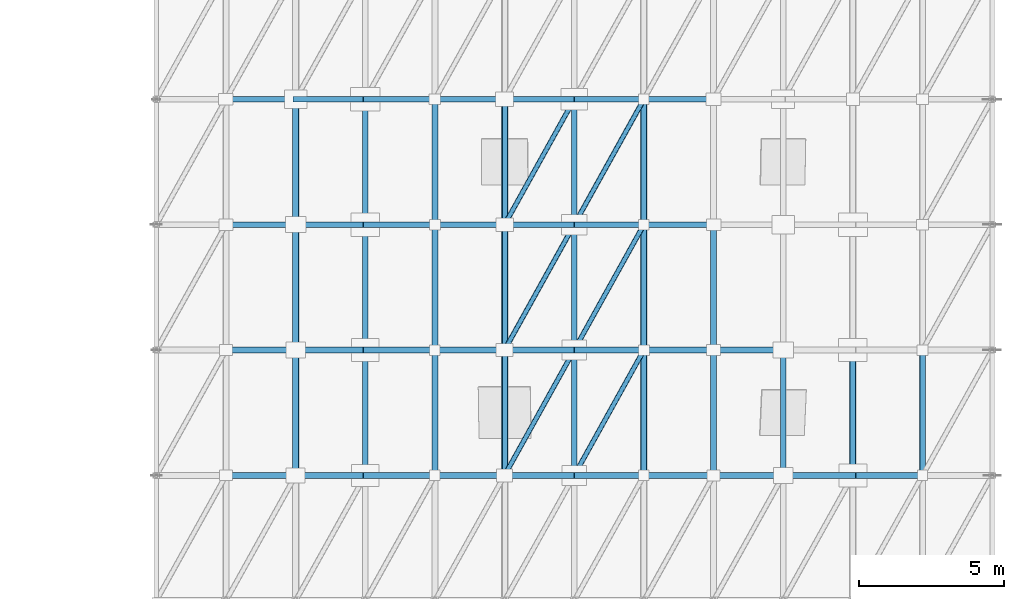
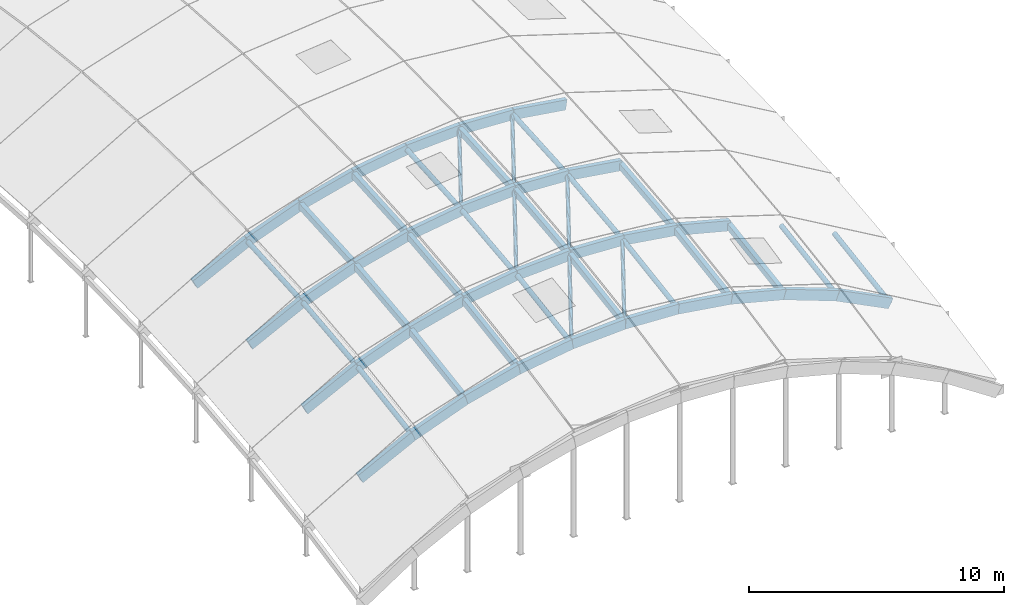
# One storey, part 12 of 35: 61 members.
"""IFC4 building model written with IfcOpenShell, lengths in metres."""

import ifcopenshell
import ifcopenshell.guid

model = None  # the IFC model being written
_history = None  # IfcOwnerHistory: only IFC2X3 demands one
_inside = {}  # id of a spatial element -> (the spatial element, [elements in it])
_under = {}  # id of a project, library or spatial element -> (it, [spatial elements below it])
_declared = {}  # id of a project -> (the project, [libraries it declares])
_typed = {}  # id of a type object -> (the type object, [elements of that type])
_made_of = {}  # id of a material, layer set ... -> (it, [elements and type objects made of it])


def new_model(schema):
    """Start an empty IFC model of exactly this schema.

    Asked for "IFC4X3", IfcOpenShell would pick the latest addendum, in which some entities
    have other attributes; the version numbers below select the first issue.
    IFC2X3 requires an IfcOwnerHistory on every rooted entity: one is made here for all.
    """
    global model, _history
    if schema == "IFC4X3":
        model = ifcopenshell.file(schema_version=(4, 3, 0, 0))
    else:
        model = ifcopenshell.file(schema=schema)
    _inside.clear()
    _under.clear()
    _declared.clear()
    _typed.clear()
    _made_of.clear()
    _history = None
    if model.schema == "IFC2X3":
        org = make("IfcOrganization", Name="unknown")
        user = make(
            "IfcPersonAndOrganization",
            ThePerson=make("IfcPerson", FamilyName="unknown"),
            TheOrganization=org,
        )
        app = make(
            "IfcApplication",
            ApplicationDeveloper=org,
            Version="unknown",
            ApplicationFullName="unknown",
            ApplicationIdentifier="unknown",
        )
        _history = make(
            "IfcOwnerHistory",
            OwningUser=user,
            OwningApplication=app,
            ChangeAction="ADDED",
            CreationDate=0,
        )
    return model


def make(cls, **values):
    """One entity of the class cls with the attributes given. An attribute that is None is left unset."""
    return model.create_entity(
        cls, **{name: value for name, value in values.items() if value is not None}
    )


def rooted(cls, **values):
    """An entity with a GlobalId (a new one), such as an element, a storey or a relation."""
    return make(cls, GlobalId=ifcopenshell.guid.new(), OwnerHistory=_history, **values)


def si_unit(unit_type, name, prefix=None):
    """IfcSIUnit, for example si_unit("LENGTHUNIT", "METRE", prefix="MILLI")."""
    return make("IfcSIUnit", UnitType=unit_type, Prefix=prefix, Name=name)


def assignment(units):
    """IfcUnitAssignment: the units of a project."""
    return None if units is None else make("IfcUnitAssignment", Units=units)


def point(xyz):
    """IfcCartesianPoint."""
    return None if xyz is None else make("IfcCartesianPoint", Coordinates=xyz)


def direction(xyz):
    """IfcDirection."""
    return None if xyz is None else make("IfcDirection", DirectionRatios=xyz)


def frame(location, z_axis=None, x_axis=None):
    """IfcAxis2Placement3D, a coordinate frame: its origin and axes. An axis left out is left unset."""
    return make(
        "IfcAxis2Placement3D",
        Location=point(location),
        Axis=direction(z_axis),
        RefDirection=direction(x_axis),
    )


def frame_2d(location, x_axis=None):
    """IfcAxis2Placement2D, a coordinate frame in the plane: its origin and x axis."""
    return make(
        "IfcAxis2Placement2D", Location=point(location), RefDirection=direction(x_axis)
    )


def origin():
    """The frame at (0, 0, 0) with its axes left unset."""
    return frame((0.0, 0.0, 0.0))


def origin_2d():
    """The frame at (0, 0) in the plane with its x axis left unset."""
    return frame_2d((0.0, 0.0))


def place(relative_to, where):
    """IfcLocalPlacement: puts the frame where relative to a parent placement (None: the world)."""
    return make(
        "IfcLocalPlacement", PlacementRelTo=relative_to, RelativePlacement=where
    )


def context(
    kind, dimensions, precision=None, world=None, true_north=None, identifier=None
):
    """IfcGeometricRepresentationContext, for example the 3D "Model" context."""
    return make(
        "IfcGeometricRepresentationContext",
        ContextIdentifier=identifier,
        ContextType=kind,
        CoordinateSpaceDimension=dimensions,
        Precision=precision,
        WorldCoordinateSystem=world,
        TrueNorth=true_north,
    )


def subcontext(parent, identifier, kind, view, scale=None):
    """IfcGeometricRepresentationSubContext, for example "Body" below "Model"."""
    return make(
        "IfcGeometricRepresentationSubContext",
        ContextIdentifier=identifier,
        ContextType=kind,
        ParentContext=parent,
        TargetScale=scale,
        TargetView=view,
    )


def project(units=None, contexts=None):
    """IfcProject with its units and contexts."""
    return rooted(
        "IfcProject",
        Name="project",
        RepresentationContexts=contexts,
        UnitsInContext=assignment(units),
    )


def spatial(cls, under=None, at=None, **own):
    """A site, building, storey or space (cls), placed at a placement, below another one or the project."""
    s = rooted(cls, ObjectPlacement=at, **own)
    if under is not None:
        _under.setdefault(under.id(), (under, []))[1].append(s)
    return s


def profile(cls, at=None, kind="AREA", **sizes):
    """A parametric profile (cls). Its sizes go by their IFC names, for example OverallWidth=200.0."""
    return make(cls, ProfileType=kind, Position=at, **sizes)


def rectangle(**sizes):
    """IfcRectangleProfileDef."""
    return profile("IfcRectangleProfileDef", **sizes)


def hollow_rectangle(**sizes):
    """IfcRectangleHollowProfileDef."""
    return profile("IfcRectangleHollowProfileDef", **sizes)


def hollow_circle(**sizes):
    """IfcCircleHollowProfileDef."""
    return profile("IfcCircleHollowProfileDef", **sizes)


def extrude(swept, where, along, depth):
    """IfcExtrudedAreaSolid: the profile swept, set in the frame where, extruded along a direction by depth."""
    return make(
        "IfcExtrudedAreaSolid",
        SweptArea=swept,
        Position=where,
        ExtrudedDirection=direction(along),
        Depth=depth,
    )


def shape(context_of_items, identifier, shape_type, items):
    """IfcShapeRepresentation: the items that make up one representation, for example the "Body"."""
    return make(
        "IfcShapeRepresentation",
        ContextOfItems=context_of_items,
        RepresentationIdentifier=identifier,
        RepresentationType=shape_type,
        Items=items,
    )


def material(Name=None, Category=None):
    """IfcMaterial."""
    return make("IfcMaterial", Name=Name, Category=Category)


def material_profile(
    of_material, cross_section, Name=None, Category=None, Priority=None
):
    """IfcMaterialProfile: a cross section and its material."""
    return make(
        "IfcMaterialProfile",
        Name=Name,
        Material=of_material,
        Profile=cross_section,
        Priority=Priority,
        Category=Category,
    )


def profile_set(profiles, Name=None, composite=None):
    """IfcMaterialProfileSet."""
    return make(
        "IfcMaterialProfileSet",
        Name=Name,
        MaterialProfiles=profiles,
        CompositeProfile=composite,
    )


def made_of(thing, what):
    """Note that an element or type object is made of a material, layer set ...; save() writes the relation."""
    if what is not None:
        _made_of.setdefault(what.id(), (what, []))[1].append(thing)
    return thing


def type_object(cls, material=None, **own):
    """A type object (cls), such as IfcWallType, which elements share."""
    return made_of(rooted(cls, **own), material)


def element(
    cls,
    number,
    at=None,
    inside=None,
    cuts=None,
    type_object=None,
    material=None,
    context=None,
    identifier="Body",
    shape_type=None,
    held_by="IfcProductDefinitionShape",
    body=None,
    shapes=None,
    **own,
):
    """One element of the class cls, such as IfcWall. Its Tag is "e" and its number.

    at: its placement. inside: the storey or other place that contains it. cuts: it is an
    opening in that element (IfcRelVoidsElement). A single representation is given by context,
    identifier, shape_type and body (its items); several are given by shapes. held_by: the class
    of the entity that holds the representations. save() writes the other relations.
    """
    e = rooted(cls, Tag="e%d" % number, ObjectPlacement=at, **own)
    if body is not None:
        shapes = [shape(context, identifier, shape_type, body)]
    if shapes is not None:
        e.Representation = make(held_by, Representations=shapes)
    if inside is not None:
        _inside.setdefault(inside.id(), (inside, []))[1].append(e)
    if cuts is not None:
        rooted(
            "IfcRelVoidsElement", RelatingBuildingElement=cuts, RelatedOpeningElement=e
        )
    if type_object is not None:
        _typed.setdefault(type_object.id(), (type_object, []))[1].append(e)
    return made_of(e, material)


def aggregate(whole, parts):
    """IfcRelAggregates: a whole, such as a stair, and the parts it consists of."""
    return rooted("IfcRelAggregates", RelatingObject=whole, RelatedObjects=parts)


def save(model, path):
    """Write the relations noted so far, then the file.

    IfcRelAggregates (storeys below a building ...), IfcRelContainedInSpatialStructure (elements
    in a storey), IfcRelDefinesByType, IfcRelAssociatesMaterial and IfcRelDeclares: one each for
    every whole, place, type object, material and project.
    """
    for whole, parts in _under.values():
        aggregate(whole, parts)
    for where, things in _inside.values():
        rooted(
            "IfcRelContainedInSpatialStructure",
            RelatedElements=things,
            RelatingStructure=where,
        )
    for kind, things in _typed.values():
        rooted("IfcRelDefinesByType", RelatedObjects=things, RelatingType=kind)
    for what, things in _made_of.values():
        rooted("IfcRelAssociatesMaterial", RelatedObjects=things, RelatingMaterial=what)
    for by, libraries in _declared.values():
        rooted("IfcRelDeclares", RelatingContext=by, RelatedDefinitions=libraries)
    model.write(path)


model = new_model("IFC4")

# Units and contexts
model_context = context("Model", 3, precision=1e-05, world=origin(), true_north=direction((0.0, 1.0)))
body_context = subcontext(model_context, "Body", "Model", "MODEL_VIEW")
ifc_project = project(units=[si_unit("LENGTHUNIT", "METRE"), si_unit("AREAUNIT", "SQUARE_METRE"), si_unit("VOLUMEUNIT", "CUBIC_METRE"), si_unit("PLANEANGLEUNIT", "RADIAN"), si_unit("MASSUNIT", "GRAM", prefix="KILO")], contexts=[model_context])

# Site, building, storey
site_placement = place(None, origin())
site = spatial("IfcSite", under=ifc_project, at=site_placement, CompositionType="ELEMENT")
building_placement = place(site_placement, origin())
building = spatial("IfcBuilding", under=site, at=building_placement, Name="Zarrinpeak Specialist Clinic", CompositionType="ELEMENT")
storey_placement = place(building_placement, frame((0.0, 0.0, 31.60009765625)))
storey = spatial("IfcBuildingStorey", under=building, at=storey_placement, Name="RF", CompositionType="ELEMENT", Elevation=31.60009765625)

# Members
ifc_material_1 = material(Name="Steel S355", Category="steel")
ifc_material_profile_1 = material_profile(ifc_material_1, hollow_circle(Radius=0.084228515625, WallThickness=0.008056640625, at=origin_2d()), Name="CHS 168.3x8.0")
ifc_profile_set_1 = profile_set([ifc_material_profile_1], Name="Steel S355")
member_type_1 = type_object("IfcMemberType", Name="MB-BR168", PredefinedType="BRACE", material=ifc_profile_set_1)
member_1_placement = place(storey_placement, frame((105.60009765625, 33.1201171875, -12.056396484375), z_axis=(0.479519862366, 0.86313575226, 0.158295213975), x_axis=(-0.874157276122, 0.485642931179, 0.0)))
element("IfcMember", 1, at=member_1_placement, inside=storey, type_object=member_type_1, Name="V3 Gridshell Diagonal Brace GS-DIAG-028", PredefinedType="BRACE", context=body_context, shape_type="SweptSolid", body=[
    extrude(hollow_circle(Radius=0.084228515625, WallThickness=0.008056640625, at=origin_2d()), origin(), (0.0, 0.0, 1.0), 5.0048828125),
])
member_2_placement = place(storey_placement, frame((105.60009765625, 37.43994140625, -11.38427734375), z_axis=(0.482080754181, 0.867794399311, 0.120544709438), x_axis=(-0.874168927292, 0.485621958479, 0.0)))
element("IfcMember", 2, at=member_2_placement, inside=storey, type_object=member_type_1, Name="V3 Gridshell Diagonal Brace GS-DIAG-029", PredefinedType="BRACE", context=body_context, shape_type="SweptSolid", body=[
    extrude(hollow_circle(Radius=0.084228515625, WallThickness=0.008056640625, at=origin_2d()), origin(), (0.0, 0.0, 1.0), 4.978271484375),
])
member_3_placement = place(storey_placement, frame((105.60009765625, 41.760009765625, -10.904296875), z_axis=(0.483973738945, 0.871201964459, 0.082319846543), x_axis=(-0.874168927292, 0.485621958479, 0.0)))
element("IfcMember", 3, at=member_3_placement, inside=storey, type_object=member_type_1, Name="V3 Gridshell Diagonal Brace GS-DIAG-030", PredefinedType="BRACE", context=body_context, shape_type="SweptSolid", body=[
    extrude(hollow_circle(Radius=0.084228515625, WallThickness=0.008056640625, at=origin_2d()), origin(), (0.0, 0.0, 1.0), 4.958740234375),
])
member_4_placement = place(storey_placement, frame((108.0, 33.1201171875, -11.93603515625), z_axis=(0.482643813636, 0.868758864544, 0.110963887977), x_axis=(-0.874157276122, 0.485642931179, 0.0)))
element("IfcMember", 4, at=member_4_placement, inside=storey, type_object=member_type_1, Name="V3 Gridshell Diagonal Brace GS-DIAG-038", PredefinedType="BRACE", context=body_context, shape_type="SweptSolid", body=[
    extrude(hollow_circle(Radius=0.084228515625, WallThickness=0.008056640625, at=origin_2d()), origin(), (0.0, 0.0, 1.0), 4.972412109375),
])
member_5_placement = place(storey_placement, frame((108.0, 37.43994140625, -11.26416015625), z_axis=(0.484339539557, 0.871860442774, 0.072626295148), x_axis=(-0.874168927292, 0.485621958479, 0.0)))
element("IfcMember", 5, at=member_5_placement, inside=storey, type_object=member_type_1, Name="V3 Gridshell Diagonal Brace GS-DIAG-039", PredefinedType="BRACE", context=body_context, shape_type="SweptSolid", body=[
    extrude(hollow_circle(Radius=0.084228515625, WallThickness=0.008056640625, at=origin_2d()), origin(), (0.0, 0.0, 1.0), 4.955078125),
])
member_6_placement = place(storey_placement, frame((108.0, 41.760009765625, -10.7841796875), z_axis=(0.485342513442, 0.873665897797, 0.033919664978), x_axis=(-0.874168927292, 0.485621958479, 0.0)))
element("IfcMember", 6, at=member_6_placement, inside=storey, type_object=member_type_1, Name="V3 Gridshell Diagonal Brace GS-DIAG-040", PredefinedType="BRACE", context=body_context, shape_type="SweptSolid", body=[
    extrude(hollow_circle(Radius=0.084228515625, WallThickness=0.008056640625, at=origin_2d()), origin(), (0.0, 0.0, 1.0), 4.94482421875),
])
ifc_material_profile_2 = material_profile(ifc_material_1, hollow_circle(Radius=0.109619140625, WallThickness=0.010009765625, at=origin_2d()), Name="CHS 219.1x10.0")
ifc_profile_set_2 = profile_set([ifc_material_profile_2], Name="Steel S355")
member_type_2 = type_object("IfcMemberType", Name="MB-GS-CH219", PredefinedType="USERDEFINED", material=ifc_profile_set_2)
member_7_placement = place(storey_placement, frame((98.39990234375, 33.1201171875, -13.939697265625), z_axis=(0.0, 0.988111379408, 0.153739721234), x_axis=(-1.0, 0.0, 0.0)))
element("IfcMember", 7, at=member_7_placement, inside=storey, type_object=member_type_2, Name="V3 Translational Gridshell Vault Steel Chord I02-J01", ObjectType="ARCH_SEGMENT", PredefinedType="USERDEFINED", context=body_context, shape_type="SweptSolid", body=[
    extrude(hollow_circle(Radius=0.109619140625, WallThickness=0.010009765625, at=origin_2d()), origin(), (0.0, 0.0, 1.0), 4.371826171875),
])
member_8_placement = place(storey_placement, frame((98.39990234375, 37.43994140625, -13.267578125), z_axis=(0.0, 0.993884419624, 0.110425361344), x_axis=(-1.0, 0.0, 0.0)))
element("IfcMember", 8, at=member_8_placement, inside=storey, type_object=member_type_2, Name="V3 Translational Gridshell Vault Steel Chord I02-J02", ObjectType="ARCH_SEGMENT", PredefinedType="USERDEFINED", context=body_context, shape_type="SweptSolid", body=[
    extrude(hollow_circle(Radius=0.109619140625, WallThickness=0.010009765625, at=origin_2d()), origin(), (0.0, 0.0, 1.0), 4.3466796875),
])
member_9_placement = place(storey_placement, frame((98.39990234375, 41.760009765625, -12.78759765625), z_axis=(0.0, 0.997787652204, 0.066481584739), x_axis=(-1.0, 0.0, 0.0)))
element("IfcMember", 9, at=member_9_placement, inside=storey, type_object=member_type_2, Name="V3 Translational Gridshell Vault Steel Chord I02-J03", ObjectType="ARCH_SEGMENT", PredefinedType="USERDEFINED", context=body_context, shape_type="SweptSolid", body=[
    extrude(hollow_circle(Radius=0.109619140625, WallThickness=0.010009765625, at=origin_2d()), origin(), (0.0, 0.0, 1.0), 4.32958984375),
])
member_10_placement = place(storey_placement, frame((105.60009765625, 33.1201171875, -12.056396484375), z_axis=(0.0, 0.988111379408, 0.153739721234), x_axis=(-1.0, 0.0, 0.0)))
element("IfcMember", 10, at=member_10_placement, inside=storey, type_object=member_type_2, Name="V3 Translational Gridshell Vault Steel Chord I05-J01", ObjectType="ARCH_SEGMENT", PredefinedType="USERDEFINED", context=body_context, shape_type="SweptSolid", body=[
    extrude(hollow_circle(Radius=0.109619140625, WallThickness=0.010009765625, at=origin_2d()), origin(), (0.0, 0.0, 1.0), 4.371826171875),
])
member_11_placement = place(storey_placement, frame((105.60009765625, 37.43994140625, -11.38427734375), z_axis=(0.0, 0.993884419624, 0.110425361344), x_axis=(-1.0, 0.0, 0.0)))
element("IfcMember", 11, at=member_11_placement, inside=storey, type_object=member_type_2, Name="V3 Translational Gridshell Vault Steel Chord I05-J02", ObjectType="ARCH_SEGMENT", PredefinedType="USERDEFINED", context=body_context, shape_type="SweptSolid", body=[
    extrude(hollow_circle(Radius=0.109619140625, WallThickness=0.010009765625, at=origin_2d()), origin(), (0.0, 0.0, 1.0), 4.3466796875),
])
member_12_placement = place(storey_placement, frame((105.60009765625, 41.760009765625, -10.904296875), z_axis=(0.0, 0.997787652204, 0.066481584739), x_axis=(-1.0, 0.0, 0.0)))
element("IfcMember", 12, at=member_12_placement, inside=storey, type_object=member_type_2, Name="V3 Translational Gridshell Vault Steel Chord I05-J03", ObjectType="ARCH_SEGMENT", PredefinedType="USERDEFINED", context=body_context, shape_type="SweptSolid", body=[
    extrude(hollow_circle(Radius=0.109619140625, WallThickness=0.010009765625, at=origin_2d()), origin(), (0.0, 0.0, 1.0), 4.32958984375),
])
member_13_placement = place(storey_placement, frame((110.39990234375, 33.1201171875, -12.056396484375), z_axis=(0.0, 0.988111379408, 0.153739721234), x_axis=(-1.0, 0.0, 0.0)))
element("IfcMember", 13, at=member_13_placement, inside=storey, type_object=member_type_2, Name="V3 Translational Gridshell Vault Steel Chord I07-J01", ObjectType="ARCH_SEGMENT", PredefinedType="USERDEFINED", context=body_context, shape_type="SweptSolid", body=[
    extrude(hollow_circle(Radius=0.109619140625, WallThickness=0.010009765625, at=origin_2d()), origin(), (0.0, 0.0, 1.0), 4.371826171875),
])
member_14_placement = place(storey_placement, frame((110.39990234375, 37.43994140625, -11.38427734375), z_axis=(0.0, 0.993884419624, 0.110425361344), x_axis=(-1.0, 0.0, 0.0)))
element("IfcMember", 14, at=member_14_placement, inside=storey, type_object=member_type_2, Name="V3 Translational Gridshell Vault Steel Chord I07-J02", ObjectType="ARCH_SEGMENT", PredefinedType="USERDEFINED", context=body_context, shape_type="SweptSolid", body=[
    extrude(hollow_circle(Radius=0.109619140625, WallThickness=0.010009765625, at=origin_2d()), origin(), (0.0, 0.0, 1.0), 4.3466796875),
])
member_15_placement = place(storey_placement, frame((110.39990234375, 41.760009765625, -10.904296875), z_axis=(0.0, 0.997787652204, 0.066481584739), x_axis=(-1.0, 0.0, 0.0)))
element("IfcMember", 15, at=member_15_placement, inside=storey, type_object=member_type_2, Name="V3 Translational Gridshell Vault Steel Chord I07-J03", ObjectType="ARCH_SEGMENT", PredefinedType="USERDEFINED", context=body_context, shape_type="SweptSolid", body=[
    extrude(hollow_circle(Radius=0.109619140625, WallThickness=0.010009765625, at=origin_2d()), origin(), (0.0, 0.0, 1.0), 4.32958984375),
])
for number, where, z_axis, x_axis, name in (
    (16, (117.60009765625, 33.1201171875, -13.939697265625), (0.0, 0.988111379408, 0.153739721234), (-1.0, 0.0, 0.0), "V3 Translational Gridshell Vault Steel Chord I10-J01"),
    (17, (120.0, 33.1201171875, -15.151611328125), (0.0, 0.988111379408, 0.153739721234), (-1.0, 0.0, 0.0), "V3 Translational Gridshell Vault Steel Chord I11-J01"),
):
    element("IfcMember", number, at=place(storey_placement, frame(where, z_axis=z_axis, x_axis=x_axis)), inside=storey, type_object=member_type_2, Name=name, ObjectType="ARCH_SEGMENT", PredefinedType="USERDEFINED", context=body_context, shape_type="SweptSolid", body=[
        extrude(hollow_circle(Radius=0.109619140625, WallThickness=0.010009765625, at=origin_2d()), origin(), (0.0, 0.0, 1.0), 4.371826171875),
    ])
ifc_material_2 = material(Name="Glulam GL28h", Category="wood")
ifc_material_profile_3 = material_profile(ifc_material_2, rectangle(XDim=0.199951171875, YDim=0.47998046875, at=origin_2d()), Name="GL28h 200x480")
ifc_profile_set_3 = profile_set([ifc_material_profile_3], Name="Glulam GL28h")
member_type_3 = type_object("IfcMemberType", Name="MB-GS-GL480", PredefinedType="USERDEFINED", material=ifc_profile_set_3)
member_16_placement = place(storey_placement, frame((96.0, 33.1201171875, -15.151611328125), z_axis=(0.892640275465, 0.0, 0.450769717946), x_axis=(0.0, 1.0, 0.0)))
element("IfcMember", 18, at=member_16_placement, inside=storey, type_object=member_type_3, Name="V3 Translational Gridshell Vault Glulam Arch Rib J01-01", ObjectType="ARCH_SEGMENT", PredefinedType="USERDEFINED", context=body_context, shape_type="SweptSolid", body=[
    extrude(rectangle(XDim=0.199951171875, YDim=0.47998046875, at=origin_2d()), origin(), (0.0, 0.0, 1.0), 2.6884765625),
])
member_17_placement = place(storey_placement, frame((98.39990234375, 33.1201171875, -13.939697265625), z_axis=(0.936567780468, 0.0, 0.350486508427), x_axis=(0.0, 1.0, 0.0)))
element("IfcMember", 19, at=member_17_placement, inside=storey, type_object=member_type_3, Name="V3 Translational Gridshell Vault Glulam Arch Rib J01-02", ObjectType="ARCH_SEGMENT", PredefinedType="USERDEFINED", context=body_context, shape_type="SweptSolid", body=[
    extrude(rectangle(XDim=0.199951171875, YDim=0.47998046875, at=origin_2d()), origin(), (0.0, 0.0, 1.0), 2.562744140625),
])
member_18_placement = place(storey_placement, frame((100.800048828125, 33.1201171875, -13.04150390625), z_axis=(0.96815267419, 0.0, 0.250360538941), x_axis=(0.0, 1.0, 0.0)))
element("IfcMember", 20, at=member_18_placement, inside=storey, type_object=member_type_3, Name="V3 Translational Gridshell Vault Glulam Arch Rib J01-03", ObjectType="ARCH_SEGMENT", PredefinedType="USERDEFINED", context=body_context, shape_type="SweptSolid", body=[
    extrude(rectangle(XDim=0.199951171875, YDim=0.47998046875, at=origin_2d()), origin(), (0.0, 0.0, 1.0), 2.478759765625),
])
member_19_placement = place(storey_placement, frame((103.199951171875, 33.1201171875, -12.4208984375), z_axis=(0.988663989346, 0.0, 0.150144983836), x_axis=(0.0, 1.0, 0.0)))
element("IfcMember", 21, at=member_19_placement, inside=storey, type_object=member_type_3, Name="V3 Translational Gridshell Vault Glulam Arch Rib J01-04", ObjectType="ARCH_SEGMENT", PredefinedType="USERDEFINED", context=body_context, shape_type="SweptSolid", body=[
    extrude(rectangle(XDim=0.199951171875, YDim=0.47998046875, at=origin_2d()), origin(), (0.0, 0.0, 1.0), 2.427734375),
])
for number, where, z_axis, x_axis, name in (
    (22, (105.60009765625, 33.1201171875, -12.056396484375), (0.998744726183, 0.0, 0.050089638861), (0.0, 1.0, 0.0), "V3 Translational Gridshell Vault Glulam Arch Rib J01-05"),
    (23, (108.0, 33.1201171875, -11.93603515625), (0.998744726183, 0.0, -0.050089638861), (0.0, 1.0, 0.0), "V3 Translational Gridshell Vault Glulam Arch Rib J01-06"),
):
    element("IfcMember", number, at=place(storey_placement, frame(where, z_axis=z_axis, x_axis=x_axis)), inside=storey, type_object=member_type_3, Name=name, ObjectType="ARCH_SEGMENT", PredefinedType="USERDEFINED", context=body_context, shape_type="SweptSolid", body=[
        extrude(rectangle(XDim=0.199951171875, YDim=0.47998046875, at=origin_2d()), origin(), (0.0, 0.0, 1.0), 2.40283203125),
    ])
member_20_placement = place(storey_placement, frame((110.39990234375, 33.1201171875, -12.056396484375), z_axis=(0.988663989346, 0.0, -0.150144983836), x_axis=(0.0, 1.0, 0.0)))
element("IfcMember", 24, at=member_20_placement, inside=storey, type_object=member_type_3, Name="V3 Translational Gridshell Vault Glulam Arch Rib J01-07", ObjectType="ARCH_SEGMENT", PredefinedType="USERDEFINED", context=body_context, shape_type="SweptSolid", body=[
    extrude(rectangle(XDim=0.199951171875, YDim=0.47998046875, at=origin_2d()), origin(), (0.0, 0.0, 1.0), 2.427734375),
])
member_21_placement = place(storey_placement, frame((112.800048828125, 33.1201171875, -12.4208984375), z_axis=(0.96815267419, 0.0, -0.250360538941), x_axis=(0.0, 1.0, 0.0)))
element("IfcMember", 25, at=member_21_placement, inside=storey, type_object=member_type_3, Name="V3 Translational Gridshell Vault Glulam Arch Rib J01-08", ObjectType="ARCH_SEGMENT", PredefinedType="USERDEFINED", context=body_context, shape_type="SweptSolid", body=[
    extrude(rectangle(XDim=0.199951171875, YDim=0.47998046875, at=origin_2d()), origin(), (0.0, 0.0, 1.0), 2.478759765625),
])
member_22_placement = place(storey_placement, frame((115.199951171875, 33.1201171875, -13.04150390625), z_axis=(0.936567780468, 0.0, -0.350486508427), x_axis=(0.0, 1.0, 0.0)))
element("IfcMember", 26, at=member_22_placement, inside=storey, type_object=member_type_3, Name="V3 Translational Gridshell Vault Glulam Arch Rib J01-09", ObjectType="ARCH_SEGMENT", PredefinedType="USERDEFINED", context=body_context, shape_type="SweptSolid", body=[
    extrude(rectangle(XDim=0.199951171875, YDim=0.47998046875, at=origin_2d()), origin(), (0.0, 0.0, 1.0), 2.562744140625),
])
for number, where, z_axis, x_axis, name in (
    (27, (117.60009765625, 33.1201171875, -13.939697265625), (0.892640275465, 0.0, -0.450769717946), (0.0, 1.0, 0.0), "V3 Translational Gridshell Vault Glulam Arch Rib J01-10"),
    (28, (96.0, 37.43994140625, -14.4794921875), (0.892640275465, 0.0, 0.450769717946), (0.0, 1.0, 0.0), "V3 Translational Gridshell Vault Glulam Arch Rib J02-01"),
):
    element("IfcMember", number, at=place(storey_placement, frame(where, z_axis=z_axis, x_axis=x_axis)), inside=storey, type_object=member_type_3, Name=name, ObjectType="ARCH_SEGMENT", PredefinedType="USERDEFINED", context=body_context, shape_type="SweptSolid", body=[
        extrude(rectangle(XDim=0.199951171875, YDim=0.47998046875, at=origin_2d()), origin(), (0.0, 0.0, 1.0), 2.6884765625),
    ])
member_23_placement = place(storey_placement, frame((98.39990234375, 37.43994140625, -13.267578125), z_axis=(0.936599049523, 0.0, 0.350402940102), x_axis=(0.0, 1.0, 0.0)))
element("IfcMember", 29, at=member_23_placement, inside=storey, type_object=member_type_3, Name="V3 Translational Gridshell Vault Glulam Arch Rib J02-02", ObjectType="ARCH_SEGMENT", PredefinedType="USERDEFINED", context=body_context, shape_type="SweptSolid", body=[
    extrude(rectangle(XDim=0.199951171875, YDim=0.47998046875, at=origin_2d()), origin(), (0.0, 0.0, 1.0), 2.5625),
])
member_24_placement = place(storey_placement, frame((100.800048828125, 37.43994140625, -12.36962890625), z_axis=(0.96815267419, 0.0, 0.250360538941), x_axis=(0.0, 1.0, 0.0)))
element("IfcMember", 30, at=member_24_placement, inside=storey, type_object=member_type_3, Name="V3 Translational Gridshell Vault Glulam Arch Rib J02-03", ObjectType="ARCH_SEGMENT", PredefinedType="USERDEFINED", context=body_context, shape_type="SweptSolid", body=[
    extrude(rectangle(XDim=0.199951171875, YDim=0.47998046875, at=origin_2d()), origin(), (0.0, 0.0, 1.0), 2.478759765625),
])
member_25_placement = place(storey_placement, frame((103.199951171875, 37.43994140625, -11.7490234375), z_axis=(0.988649056377, 0.0, 0.150243280463), x_axis=(0.0, 1.0, 0.0)))
element("IfcMember", 31, at=member_25_placement, inside=storey, type_object=member_type_3, Name="V3 Translational Gridshell Vault Glulam Arch Rib J02-04", ObjectType="ARCH_SEGMENT", PredefinedType="USERDEFINED", context=body_context, shape_type="SweptSolid", body=[
    extrude(rectangle(XDim=0.199951171875, YDim=0.47998046875, at=origin_2d()), origin(), (0.0, 0.0, 1.0), 2.427734375),
])
for number, where, z_axis, x_axis, name in (
    (32, (105.60009765625, 37.43994140625, -11.38427734375), (0.998749803871, 0.0, 0.049988291303), (0.0, 1.0, 0.0), "V3 Translational Gridshell Vault Glulam Arch Rib J02-05"),
    (33, (108.0, 37.43994140625, -11.26416015625), (0.998749803871, 0.0, -0.049988291303), (0.0, 1.0, 0.0), "V3 Translational Gridshell Vault Glulam Arch Rib J02-06"),
):
    element("IfcMember", number, at=place(storey_placement, frame(where, z_axis=z_axis, x_axis=x_axis)), inside=storey, type_object=member_type_3, Name=name, ObjectType="ARCH_SEGMENT", PredefinedType="USERDEFINED", context=body_context, shape_type="SweptSolid", body=[
        extrude(rectangle(XDim=0.199951171875, YDim=0.47998046875, at=origin_2d()), origin(), (0.0, 0.0, 1.0), 2.40283203125),
    ])
member_26_placement = place(storey_placement, frame((110.39990234375, 37.43994140625, -11.38427734375), z_axis=(0.988649056377, 0.0, -0.150243280463), x_axis=(0.0, 1.0, 0.0)))
element("IfcMember", 34, at=member_26_placement, inside=storey, type_object=member_type_3, Name="V3 Translational Gridshell Vault Glulam Arch Rib J02-07", ObjectType="ARCH_SEGMENT", PredefinedType="USERDEFINED", context=body_context, shape_type="SweptSolid", body=[
    extrude(rectangle(XDim=0.199951171875, YDim=0.47998046875, at=origin_2d()), origin(), (0.0, 0.0, 1.0), 2.427734375),
])
member_27_placement = place(storey_placement, frame((112.800048828125, 37.43994140625, -11.7490234375), z_axis=(0.96815267419, 0.0, -0.250360538941), x_axis=(0.0, 1.0, 0.0)))
element("IfcMember", 35, at=member_27_placement, inside=storey, type_object=member_type_3, Name="V3 Translational Gridshell Vault Glulam Arch Rib J02-08", ObjectType="ARCH_SEGMENT", PredefinedType="USERDEFINED", context=body_context, shape_type="SweptSolid", body=[
    extrude(rectangle(XDim=0.199951171875, YDim=0.47998046875, at=origin_2d()), origin(), (0.0, 0.0, 1.0), 2.478759765625),
])
member_28_placement = place(storey_placement, frame((96.0, 41.760009765625, -13.99951171875), z_axis=(0.892640275465, 0.0, 0.450769717946), x_axis=(0.0, 1.0, 0.0)))
element("IfcMember", 36, at=member_28_placement, inside=storey, type_object=member_type_3, Name="V3 Translational Gridshell Vault Glulam Arch Rib J03-01", ObjectType="ARCH_SEGMENT", PredefinedType="USERDEFINED", context=body_context, shape_type="SweptSolid", body=[
    extrude(rectangle(XDim=0.199951171875, YDim=0.47998046875, at=origin_2d()), origin(), (0.0, 0.0, 1.0), 2.6884765625),
])
member_29_placement = place(storey_placement, frame((98.39990234375, 41.760009765625, -12.78759765625), z_axis=(0.936599049523, 0.0, 0.350402940102), x_axis=(0.0, 1.0, 0.0)))
element("IfcMember", 37, at=member_29_placement, inside=storey, type_object=member_type_3, Name="V3 Translational Gridshell Vault Glulam Arch Rib J03-02", ObjectType="ARCH_SEGMENT", PredefinedType="USERDEFINED", context=body_context, shape_type="SweptSolid", body=[
    extrude(rectangle(XDim=0.199951171875, YDim=0.47998046875, at=origin_2d()), origin(), (0.0, 0.0, 1.0), 2.5625),
])
member_30_placement = place(storey_placement, frame((100.800048828125, 41.760009765625, -11.8896484375), z_axis=(0.96815267419, 0.0, 0.250360538941), x_axis=(0.0, 1.0, 0.0)))
element("IfcMember", 38, at=member_30_placement, inside=storey, type_object=member_type_3, Name="V3 Translational Gridshell Vault Glulam Arch Rib J03-03", ObjectType="ARCH_SEGMENT", PredefinedType="USERDEFINED", context=body_context, shape_type="SweptSolid", body=[
    extrude(rectangle(XDim=0.199951171875, YDim=0.47998046875, at=origin_2d()), origin(), (0.0, 0.0, 1.0), 2.478759765625),
])
member_31_placement = place(storey_placement, frame((103.199951171875, 41.760009765625, -11.26904296875), z_axis=(0.988649056377, 0.0, 0.150243280463), x_axis=(0.0, 1.0, 0.0)))
element("IfcMember", 39, at=member_31_placement, inside=storey, type_object=member_type_3, Name="V3 Translational Gridshell Vault Glulam Arch Rib J03-04", ObjectType="ARCH_SEGMENT", PredefinedType="USERDEFINED", context=body_context, shape_type="SweptSolid", body=[
    extrude(rectangle(XDim=0.199951171875, YDim=0.47998046875, at=origin_2d()), origin(), (0.0, 0.0, 1.0), 2.427734375),
])
for number, where, z_axis, x_axis, name in (
    (40, (105.60009765625, 41.760009765625, -10.904296875), (0.998749803871, 0.0, 0.049988291303), (0.0, 1.0, 0.0), "V3 Translational Gridshell Vault Glulam Arch Rib J03-05"),
    (41, (108.0, 41.760009765625, -10.7841796875), (0.998749803871, 0.0, -0.049988291303), (0.0, 1.0, 0.0), "V3 Translational Gridshell Vault Glulam Arch Rib J03-06"),
):
    element("IfcMember", number, at=place(storey_placement, frame(where, z_axis=z_axis, x_axis=x_axis)), inside=storey, type_object=member_type_3, Name=name, ObjectType="ARCH_SEGMENT", PredefinedType="USERDEFINED", context=body_context, shape_type="SweptSolid", body=[
        extrude(rectangle(XDim=0.199951171875, YDim=0.47998046875, at=origin_2d()), origin(), (0.0, 0.0, 1.0), 2.40283203125),
    ])
member_32_placement = place(storey_placement, frame((110.39990234375, 41.760009765625, -10.904296875), z_axis=(0.988649056377, 0.0, -0.150243280463), x_axis=(0.0, 1.0, 0.0)))
element("IfcMember", 42, at=member_32_placement, inside=storey, type_object=member_type_3, Name="V3 Translational Gridshell Vault Glulam Arch Rib J03-07", ObjectType="ARCH_SEGMENT", PredefinedType="USERDEFINED", context=body_context, shape_type="SweptSolid", body=[
    extrude(rectangle(XDim=0.199951171875, YDim=0.47998046875, at=origin_2d()), origin(), (0.0, 0.0, 1.0), 2.427734375),
])
member_33_placement = place(storey_placement, frame((96.0, 46.080078125, -13.71142578125), z_axis=(0.892676812819, 0.0, 0.450697357276), x_axis=(0.0, 1.0, 0.0)))
element("IfcMember", 43, at=member_33_placement, inside=storey, type_object=member_type_3, Name="V3 Translational Gridshell Vault Glulam Arch Rib J04-01", ObjectType="ARCH_SEGMENT", PredefinedType="USERDEFINED", context=body_context, shape_type="SweptSolid", body=[
    extrude(rectangle(XDim=0.199951171875, YDim=0.47998046875, at=origin_2d()), origin(), (0.0, 0.0, 1.0), 2.6884765625),
])
member_34_placement = place(storey_placement, frame((98.39990234375, 46.080078125, -12.499755859375), z_axis=(0.936567780468, 0.0, 0.350486508427), x_axis=(0.0, 1.0, 0.0)))
element("IfcMember", 44, at=member_34_placement, inside=storey, type_object=member_type_3, Name="V3 Translational Gridshell Vault Glulam Arch Rib J04-02", ObjectType="ARCH_SEGMENT", PredefinedType="USERDEFINED", context=body_context, shape_type="SweptSolid", body=[
    extrude(rectangle(XDim=0.199951171875, YDim=0.47998046875, at=origin_2d()), origin(), (0.0, 0.0, 1.0), 2.562744140625),
])
member_35_placement = place(storey_placement, frame((100.800048828125, 46.080078125, -11.6015625), z_axis=(0.96815267419, 0.0, 0.250360538941), x_axis=(0.0, 1.0, 0.0)))
element("IfcMember", 45, at=member_35_placement, inside=storey, type_object=member_type_3, Name="V3 Translational Gridshell Vault Glulam Arch Rib J04-03", ObjectType="ARCH_SEGMENT", PredefinedType="USERDEFINED", context=body_context, shape_type="SweptSolid", body=[
    extrude(rectangle(XDim=0.199951171875, YDim=0.47998046875, at=origin_2d()), origin(), (0.0, 0.0, 1.0), 2.478759765625),
])
member_36_placement = place(storey_placement, frame((103.199951171875, 46.080078125, -10.98095703125), z_axis=(0.988663989346, 0.0, 0.150144983836), x_axis=(0.0, 1.0, 0.0)))
element("IfcMember", 46, at=member_36_placement, inside=storey, type_object=member_type_3, Name="V3 Translational Gridshell Vault Glulam Arch Rib J04-04", ObjectType="ARCH_SEGMENT", PredefinedType="USERDEFINED", context=body_context, shape_type="SweptSolid", body=[
    extrude(rectangle(XDim=0.199951171875, YDim=0.47998046875, at=origin_2d()), origin(), (0.0, 0.0, 1.0), 2.427734375),
])
for number, where, z_axis, x_axis, name in (
    (47, (105.60009765625, 46.080078125, -10.616455078125), (0.998744726183, 0.0, 0.050089638861), (0.0, 1.0, 0.0), "V3 Translational Gridshell Vault Glulam Arch Rib J04-05"),
    (48, (108.0, 46.080078125, -10.49609375), (0.998744726183, 0.0, -0.050089638861), (0.0, 1.0, 0.0), "V3 Translational Gridshell Vault Glulam Arch Rib J04-06"),
):
    element("IfcMember", number, at=place(storey_placement, frame(where, z_axis=z_axis, x_axis=x_axis)), inside=storey, type_object=member_type_3, Name=name, ObjectType="ARCH_SEGMENT", PredefinedType="USERDEFINED", context=body_context, shape_type="SweptSolid", body=[
        extrude(rectangle(XDim=0.199951171875, YDim=0.47998046875, at=origin_2d()), origin(), (0.0, 0.0, 1.0), 2.40283203125),
    ])
member_37_placement = place(storey_placement, frame((110.39990234375, 46.080078125, -10.616455078125), z_axis=(0.988663989346, 0.0, -0.150144983836), x_axis=(0.0, 1.0, 0.0)))
element("IfcMember", 49, at=member_37_placement, inside=storey, type_object=member_type_3, Name="V3 Translational Gridshell Vault Glulam Arch Rib J04-07", ObjectType="ARCH_SEGMENT", PredefinedType="USERDEFINED", context=body_context, shape_type="SweptSolid", body=[
    extrude(rectangle(XDim=0.199951171875, YDim=0.47998046875, at=origin_2d()), origin(), (0.0, 0.0, 1.0), 2.427734375),
])
ifc_material_profile_4 = material_profile(ifc_material_1, hollow_rectangle(XDim=0.199951171875, YDim=0.300048828125, WallThickness=0.012451171875, at=origin_2d()), Name="RHS 300x200x12.5")
ifc_profile_set_4 = profile_set([ifc_material_profile_4], Name="Steel S355")
member_type_4 = type_object("IfcMemberType", Name="MB-GS-RH300", PredefinedType="USERDEFINED", material=ifc_profile_set_4)
member_38_placement = place(storey_placement, frame((100.800048828125, 33.1201171875, -13.04150390625), z_axis=(0.0, 0.988119861414, 0.153685196033), x_axis=(-1.0, 0.0, 0.0)))
element("IfcMember", 50, at=member_38_placement, inside=storey, type_object=member_type_4, Name="V3 Translational Gridshell Vault Steel Chord I03-J01", ObjectType="ARCH_SEGMENT", PredefinedType="USERDEFINED", context=body_context, shape_type="SweptSolid", body=[
    extrude(hollow_rectangle(XDim=0.199951171875, YDim=0.300048828125, WallThickness=0.012451171875, at=origin_2d()), origin(), (0.0, 0.0, 1.0), 4.371826171875),
])
member_39_placement = place(storey_placement, frame((100.800048828125, 37.43994140625, -12.36962890625), z_axis=(0.0, 0.993884419624, 0.110425361344), x_axis=(-1.0, 0.0, 0.0)))
element("IfcMember", 51, at=member_39_placement, inside=storey, type_object=member_type_4, Name="V3 Translational Gridshell Vault Steel Chord I03-J02", ObjectType="ARCH_SEGMENT", PredefinedType="USERDEFINED", context=body_context, shape_type="SweptSolid", body=[
    extrude(hollow_rectangle(XDim=0.199951171875, YDim=0.300048828125, WallThickness=0.012451171875, at=origin_2d()), origin(), (0.0, 0.0, 1.0), 4.3466796875),
])
member_40_placement = place(storey_placement, frame((100.800048828125, 41.760009765625, -11.8896484375), z_axis=(0.0, 0.997783910161, 0.066537723311), x_axis=(-1.0, 0.0, 0.0)))
element("IfcMember", 52, at=member_40_placement, inside=storey, type_object=member_type_4, Name="V3 Translational Gridshell Vault Steel Chord I03-J03", ObjectType="ARCH_SEGMENT", PredefinedType="USERDEFINED", context=body_context, shape_type="SweptSolid", body=[
    extrude(hollow_rectangle(XDim=0.199951171875, YDim=0.300048828125, WallThickness=0.012451171875, at=origin_2d()), origin(), (0.0, 0.0, 1.0), 4.32958984375),
])
member_41_placement = place(storey_placement, frame((103.199951171875, 33.1201171875, -12.4208984375), z_axis=(0.0, 0.988119861414, 0.153685196033), x_axis=(-1.0, 0.0, 0.0)))
element("IfcMember", 53, at=member_41_placement, inside=storey, type_object=member_type_4, Name="V3 Translational Gridshell Vault Steel Chord I04-J01", ObjectType="ARCH_SEGMENT", PredefinedType="USERDEFINED", context=body_context, shape_type="SweptSolid", body=[
    extrude(hollow_rectangle(XDim=0.199951171875, YDim=0.300048828125, WallThickness=0.012451171875, at=origin_2d()), origin(), (0.0, 0.0, 1.0), 4.371826171875),
])
member_42_placement = place(storey_placement, frame((103.199951171875, 37.43994140625, -11.7490234375), z_axis=(0.0, 0.993884419624, 0.110425361344), x_axis=(-1.0, 0.0, 0.0)))
element("IfcMember", 54, at=member_42_placement, inside=storey, type_object=member_type_4, Name="V3 Translational Gridshell Vault Steel Chord I04-J02", ObjectType="ARCH_SEGMENT", PredefinedType="USERDEFINED", context=body_context, shape_type="SweptSolid", body=[
    extrude(hollow_rectangle(XDim=0.199951171875, YDim=0.300048828125, WallThickness=0.012451171875, at=origin_2d()), origin(), (0.0, 0.0, 1.0), 4.3466796875),
])
member_43_placement = place(storey_placement, frame((103.199951171875, 41.760009765625, -11.26904296875), z_axis=(0.0, 0.997783910161, 0.066537723311), x_axis=(-1.0, 0.0, 0.0)))
element("IfcMember", 55, at=member_43_placement, inside=storey, type_object=member_type_4, Name="V3 Translational Gridshell Vault Steel Chord I04-J03", ObjectType="ARCH_SEGMENT", PredefinedType="USERDEFINED", context=body_context, shape_type="SweptSolid", body=[
    extrude(hollow_rectangle(XDim=0.199951171875, YDim=0.300048828125, WallThickness=0.012451171875, at=origin_2d()), origin(), (0.0, 0.0, 1.0), 4.32958984375),
])
member_44_placement = place(storey_placement, frame((108.0, 33.1201171875, -11.93603515625), z_axis=(0.0, 0.988119861414, 0.153685196033), x_axis=(-1.0, 0.0, 0.0)))
element("IfcMember", 56, at=member_44_placement, inside=storey, type_object=member_type_4, Name="V3 Translational Gridshell Vault Steel Chord I06-J01", ObjectType="ARCH_SEGMENT", PredefinedType="USERDEFINED", context=body_context, shape_type="SweptSolid", body=[
    extrude(hollow_rectangle(XDim=0.199951171875, YDim=0.300048828125, WallThickness=0.012451171875, at=origin_2d()), origin(), (0.0, 0.0, 1.0), 4.371826171875),
])
member_45_placement = place(storey_placement, frame((108.0, 37.43994140625, -11.26416015625), z_axis=(0.0, 0.993884419624, 0.110425361344), x_axis=(-1.0, 0.0, 0.0)))
element("IfcMember", 57, at=member_45_placement, inside=storey, type_object=member_type_4, Name="V3 Translational Gridshell Vault Steel Chord I06-J02", ObjectType="ARCH_SEGMENT", PredefinedType="USERDEFINED", context=body_context, shape_type="SweptSolid", body=[
    extrude(hollow_rectangle(XDim=0.199951171875, YDim=0.300048828125, WallThickness=0.012451171875, at=origin_2d()), origin(), (0.0, 0.0, 1.0), 4.3466796875),
])
member_46_placement = place(storey_placement, frame((108.0, 41.760009765625, -10.7841796875), z_axis=(0.0, 0.997783910161, 0.066537723311), x_axis=(-1.0, 0.0, 0.0)))
element("IfcMember", 58, at=member_46_placement, inside=storey, type_object=member_type_4, Name="V3 Translational Gridshell Vault Steel Chord I06-J03", ObjectType="ARCH_SEGMENT", PredefinedType="USERDEFINED", context=body_context, shape_type="SweptSolid", body=[
    extrude(hollow_rectangle(XDim=0.199951171875, YDim=0.300048828125, WallThickness=0.012451171875, at=origin_2d()), origin(), (0.0, 0.0, 1.0), 4.32958984375),
])
member_47_placement = place(storey_placement, frame((112.800048828125, 33.1201171875, -12.4208984375), z_axis=(0.0, 0.988119861414, 0.153685196033), x_axis=(-1.0, 0.0, 0.0)))
element("IfcMember", 59, at=member_47_placement, inside=storey, type_object=member_type_4, Name="V3 Translational Gridshell Vault Steel Chord I08-J01", ObjectType="ARCH_SEGMENT", PredefinedType="USERDEFINED", context=body_context, shape_type="SweptSolid", body=[
    extrude(hollow_rectangle(XDim=0.199951171875, YDim=0.300048828125, WallThickness=0.012451171875, at=origin_2d()), origin(), (0.0, 0.0, 1.0), 4.371826171875),
])
member_48_placement = place(storey_placement, frame((112.800048828125, 37.43994140625, -11.7490234375), z_axis=(0.0, 0.993884419624, 0.110425361344), x_axis=(-1.0, 0.0, 0.0)))
element("IfcMember", 60, at=member_48_placement, inside=storey, type_object=member_type_4, Name="V3 Translational Gridshell Vault Steel Chord I08-J02", ObjectType="ARCH_SEGMENT", PredefinedType="USERDEFINED", context=body_context, shape_type="SweptSolid", body=[
    extrude(hollow_rectangle(XDim=0.199951171875, YDim=0.300048828125, WallThickness=0.012451171875, at=origin_2d()), origin(), (0.0, 0.0, 1.0), 4.3466796875),
])
member_49_placement = place(storey_placement, frame((115.199951171875, 33.1201171875, -13.04150390625), z_axis=(0.0, 0.988119861414, 0.153685196033), x_axis=(-1.0, 0.0, 0.0)))
element("IfcMember", 61, at=member_49_placement, inside=storey, type_object=member_type_4, Name="V3 Translational Gridshell Vault Steel Chord I09-J01", ObjectType="ARCH_SEGMENT", PredefinedType="USERDEFINED", context=body_context, shape_type="SweptSolid", body=[
    extrude(hollow_rectangle(XDim=0.199951171875, YDim=0.300048828125, WallThickness=0.012451171875, at=origin_2d()), origin(), (0.0, 0.0, 1.0), 4.371826171875),
])

save(model, "model.ifc")
